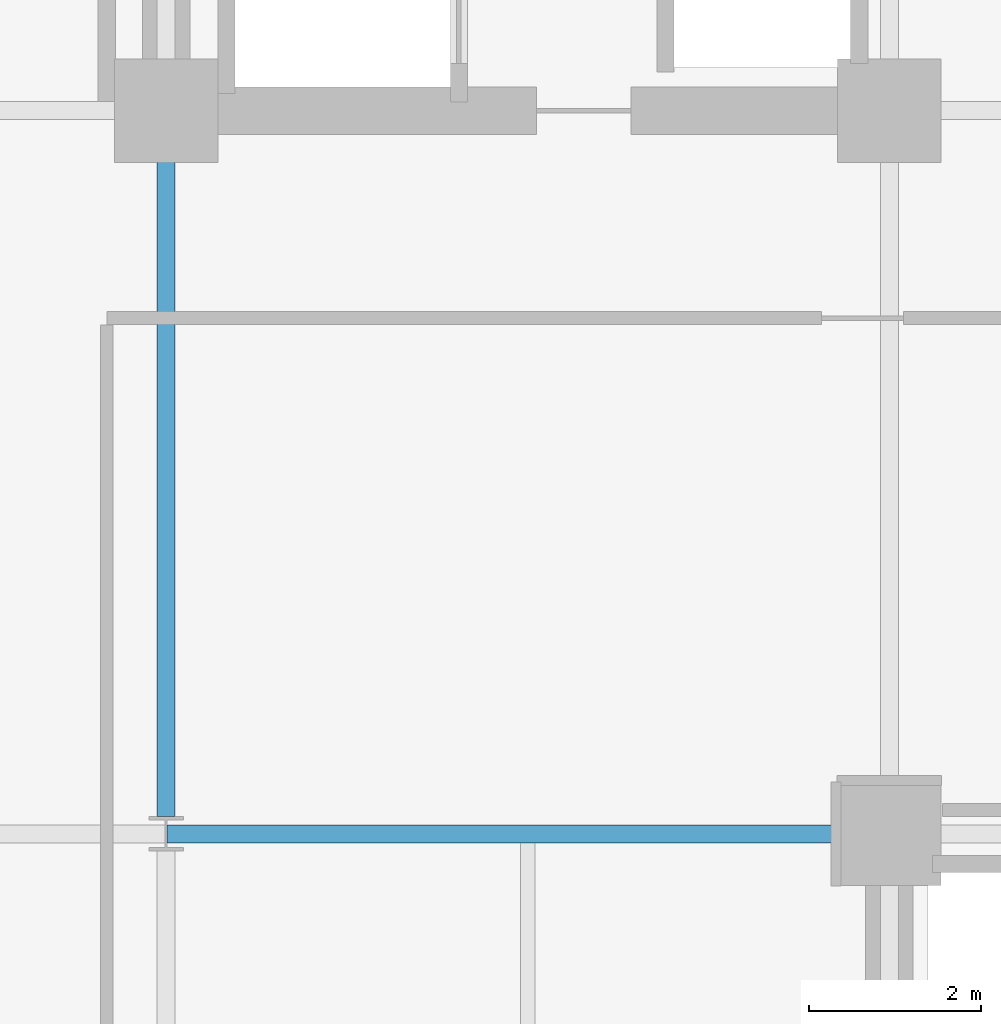
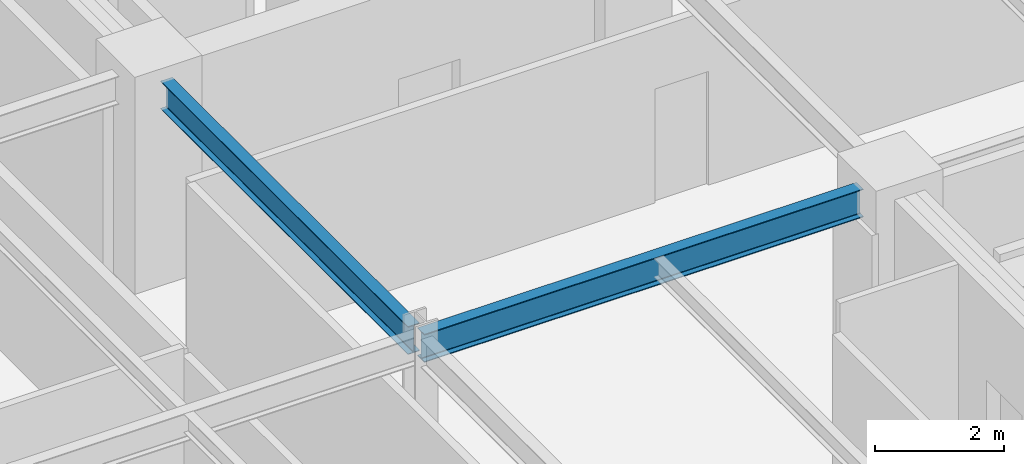
# One storey, part 9 of 30: 2 beams.
"""IFC4 building model written with IfcOpenShell, lengths in metres."""

from ifc_helpers import new_model, si_unit, direction, frame, origin, origin_2d, place, context, subcontext, project, spatial, i_section, extrude, material, material_profile, profile_set, type_object, element, save


model = new_model("IFC4")

# Units and contexts
model_context = context("Model", 3, precision=1e-05, world=origin(), true_north=direction((0.0, 1.0)))
body_context = subcontext(model_context, "Body", "Model", "MODEL_VIEW")
ifc_project = project(units=[si_unit("LENGTHUNIT", "METRE"), si_unit("AREAUNIT", "SQUARE_METRE"), si_unit("VOLUMEUNIT", "CUBIC_METRE"), si_unit("PLANEANGLEUNIT", "RADIAN"), si_unit("MASSUNIT", "GRAM", prefix="KILO")], contexts=[model_context])

# Site, building, storey
site_placement = place(None, origin())
site = spatial("IfcSite", under=ifc_project, at=site_placement, CompositionType="ELEMENT")
building_placement = place(site_placement, origin())
building = spatial("IfcBuilding", under=site, at=building_placement, Name="Nerrivon Quay Data Exchange", CompositionType="ELEMENT")
storey_placement = place(building_placement, frame((0.0, 0.0, 117.199951171875)))
storey = spatial("IfcBuildingStorey", under=building, at=storey_placement, Name="L27", CompositionType="ELEMENT", Elevation=117.199951171875)

# Beams
ifc_material = material(Name="Steel Grade 350", Category="steel")
ifc_material_profile_1 = material_profile(ifc_material, i_section(OverallWidth=0.208984375, OverallDepth=0.532958984375, WebThickness=0.01025390625, FlangeThickness=0.015625, FilletRadius=0.013916015625, at=origin_2d()), Name="530UB92.4")
ifc_profile_set_1 = profile_set([ifc_material_profile_1], Name="Steel Grade 350")
beam_type_1 = type_object("IfcBeamType", Name="BM-G3-530UB92", PredefinedType="BEAM", material=ifc_profile_set_1)
beam_1_placement = place(storey_placement, frame((8.41259765625, 16.800048828125, 3.55859375), z_axis=(1.0, 0.0, 0.0), x_axis=(0.0, 1.0, 0.0)))
element("IfcBeam", 1, at=beam_1_placement, inside=storey, type_object=beam_type_1, Name="L27 EW Girder Y=16.8 (8.4..16.8)", PredefinedType="BEAM", context=body_context, shape_type="SweptSolid", body=[
    extrude(i_section(OverallWidth=0.208984375, OverallDepth=0.532958984375, WebThickness=0.01025390625, FlangeThickness=0.015625, FilletRadius=0.013916015625, at=origin_2d()), origin(), (0.0, 0.0, 1.0), 7.847412109375),
])
ifc_material_profile_2 = material_profile(ifc_material, i_section(OverallWidth=0.208984375, OverallDepth=0.528076171875, WebThickness=0.009521484375, FlangeThickness=0.01318359375, FilletRadius=0.013916015625, at=origin_2d()), Name="530UB82.0")
ifc_profile_set_2 = profile_set([ifc_material_profile_2], Name="Steel Grade 350")
beam_type_2 = type_object("IfcBeamType", Name="BM-G4-530UB82", PredefinedType="BEAM", material=ifc_profile_set_2)
beam_2_placement = place(storey_placement, frame((8.39990234375, 17.0, 3.56103515625), z_axis=(0.0, 1.0, 0.0), x_axis=(-1.0, 0.0, 0.0)))
element("IfcBeam", 2, at=beam_2_placement, inside=storey, type_object=beam_type_2, Name="L27 NS Girder X=8.4 (16.8..25.2)", PredefinedType="BEAM", context=body_context, shape_type="SweptSolid", body=[
    extrude(i_section(OverallWidth=0.208984375, OverallDepth=0.528076171875, WebThickness=0.009521484375, FlangeThickness=0.01318359375, FilletRadius=0.013916015625, at=origin_2d()), origin(), (0.0, 0.0, 1.0), 7.659912109375),
])

save(model, "model.ifc")
